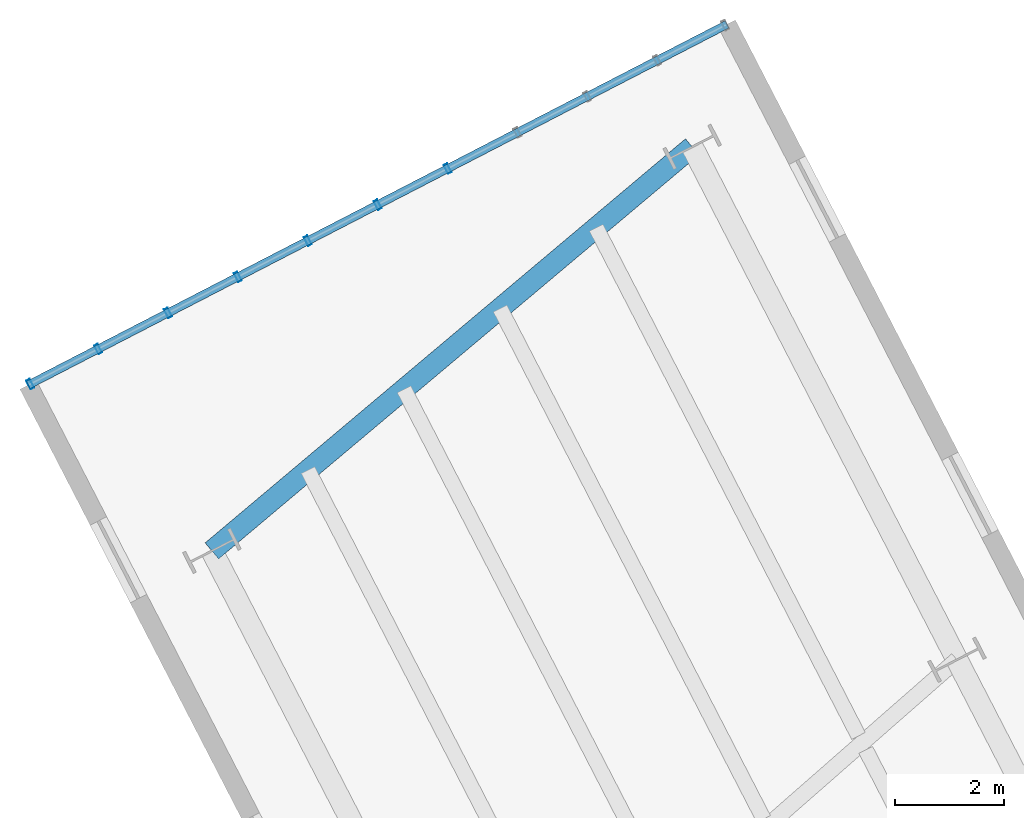
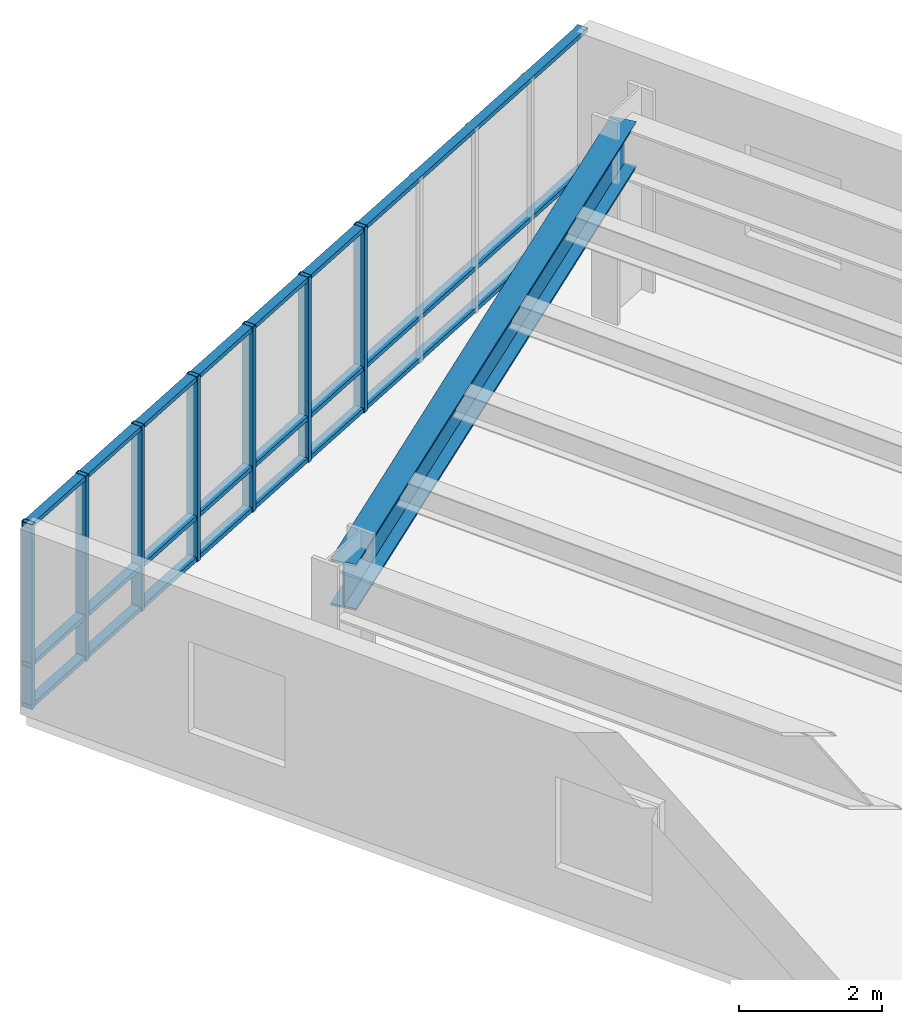
# One storey, part 3 of 10: 10 members, 1 beam, 1 element without a shape of its own.
"""IFC4 building model written with IfcOpenShell, lengths in metres."""

from ifc_helpers import new_model, si_unit, direction, frame, origin, origin_2d, place, context, subcontext, project, spatial, hollow_rectangle, i_section, extrude, material, layer, layer_set, material_profile, profile_set, type_object, element, aggregate, save


model = new_model("IFC4")

# Units and contexts
model_context = context("Model", 3, precision=1e-05, world=origin(), true_north=direction((0.0, 1.0)))
body_context = subcontext(model_context, "Body", "Model", "MODEL_VIEW")
ifc_project = project(units=[si_unit("LENGTHUNIT", "METRE"), si_unit("AREAUNIT", "SQUARE_METRE"), si_unit("VOLUMEUNIT", "CUBIC_METRE"), si_unit("PLANEANGLEUNIT", "RADIAN"), si_unit("MASSUNIT", "GRAM", prefix="KILO"), si_unit("THERMODYNAMICTEMPERATUREUNIT", "KELVIN"), si_unit("POWERUNIT", "WATT")], contexts=[model_context])

# Site, building, storey
site_placement = place(None, origin())
site = spatial("IfcSite", under=ifc_project, at=site_placement, CompositionType="ELEMENT")
building_placement = place(site_placement, origin())
building = spatial("IfcBuilding", under=site, at=building_placement, Name="Skarre Station Tower", CompositionType="ELEMENT")
storey_placement = place(building_placement, frame((0.0, 0.0, 142.949951171875)))
storey = spatial("IfcBuildingStorey", under=building, at=storey_placement, Name="L38", CompositionType="ELEMENT", Elevation=142.949951171875)

# Curtain wall, members
ifc_material_1 = material(Name="Thermally Broken Bronze-Anodized Aluminium & Triple Low-E Glass", Category="aluminium")
ifc_layer = layer(ifc_material_1, 0.2099609375, Name="Thermally Broken Bronze-Anodized Aluminium & Triple Low-E Glass")
ifc_layer_set = layer_set([ifc_layer], Name="Thermally Broken Bronze-Anodized Aluminium & Triple Low-E Glass")
curtain_wall_type = type_object("IfcCurtainWallType", Name="Sky-Bar Prow Structural Glazed Curtain Wall", PredefinedType="NOTDEFINED", material=ifc_layer_set)
curtain_wall_placement = place(storey_placement, origin())
curtain_wall = element("IfcCurtainWall", 1, at=curtain_wall_placement, inside=storey, type_object=curtain_wall_type, Name="L38 SB-3 Lakefront Prow Curtain Wall", PredefinedType="NOTDEFINED")
ifc_material_2 = material(Name="Anodized Aluminium 6063-T6", Category="aluminium")
ifc_material_profile_1 = material_profile(ifc_material_2, hollow_rectangle(XDim=0.074951171875, YDim=0.14990234375, WallThickness=0.00390625, at=origin_2d()), Name="Anodized Aluminium 6063-T6")
ifc_profile_set_1 = profile_set([ifc_material_profile_1], Name="Anodized Aluminium 6063-T6")
member_type_1 = type_object("IfcMemberType", Name="Curtain-Wall Secondary Transom 150x75", PredefinedType="USERDEFINED", material=ifc_profile_set_1)
member_1_placement = place(storey_placement, frame((10.279052734375, 54.006103515625, 0.0400390625), z_axis=(0.888602378714, 0.458678332324, 0.0), x_axis=(0.0, 0.0, 1.0)))
member_1 = element("IfcMember", 2, at=member_1_placement, type_object=member_type_1, Name="L38 SB-3 Lakefront Prow Curtain Wall Transom 1", ObjectType="TRANSOM", PredefinedType="USERDEFINED", context=body_context, shape_type="SweptSolid", body=[
    extrude(hollow_rectangle(XDim=0.074951171875, YDim=0.14990234375, WallThickness=0.00390625, at=origin_2d()), origin(), (0.0, 0.0, 1.0), 14.400146484375),
])
member_2_placement = place(storey_placement, frame((10.279052734375, 54.006103515625, 0.75), z_axis=(0.888602378714, 0.458678332324, 0.0), x_axis=(0.0, 0.0, 1.0)))
member_2 = element("IfcMember", 3, at=member_2_placement, type_object=member_type_1, Name="L38 SB-3 Lakefront Prow Curtain Wall Transom 2", ObjectType="TRANSOM", PredefinedType="USERDEFINED", context=body_context, shape_type="SweptSolid", body=[
    extrude(hollow_rectangle(XDim=0.074951171875, YDim=0.14990234375, WallThickness=0.00390625, at=origin_2d()), origin(), (0.0, 0.0, 1.0), 14.400146484375),
])
member_3_placement = place(storey_placement, frame((10.279052734375, 54.006103515625, 3.1201171875), z_axis=(0.888602378714, 0.458678332324, 0.0), x_axis=(0.0, 0.0, 1.0)))
member_3 = element("IfcMember", 4, at=member_3_placement, type_object=member_type_1, Name="L38 SB-3 Lakefront Prow Curtain Wall Transom 3", ObjectType="TRANSOM", PredefinedType="USERDEFINED", context=body_context, shape_type="SweptSolid", body=[
    extrude(hollow_rectangle(XDim=0.074951171875, YDim=0.14990234375, WallThickness=0.00390625, at=origin_2d()), origin(), (0.0, 0.0, 1.0), 14.400146484375),
])
ifc_material_profile_2 = material_profile(ifc_material_2, hollow_rectangle(XDim=0.074951171875, YDim=0.179931640625, WallThickness=0.00390625, at=origin_2d()), Name="Anodized Aluminium 6063-T6")
ifc_profile_set_2 = profile_set([ifc_material_profile_2], Name="Anodized Aluminium 6063-T6")
member_type_2 = type_object("IfcMemberType", Name="Curtain-Wall Unitised Tower Mullion 180x75", PredefinedType="MULLION", material=ifc_profile_set_2)
member_4_placement = place(storey_placement, frame((10.31494140625, 54.02392578125, 0.0), z_axis=(0.0, 0.0, 1.0), x_axis=(0.888601222224, 0.458680572798, 0.0)))
member_4 = element("IfcMember", 5, at=member_4_placement, type_object=member_type_2, Name="L38 SB-3 Lakefront Prow Curtain Wall Mullion 1", PredefinedType="MULLION", context=body_context, shape_type="SweptSolid", body=[
    extrude(hollow_rectangle(XDim=0.074951171875, YDim=0.179931640625, WallThickness=0.00390625, at=origin_2d()), origin(), (0.0, 0.0, 1.0), 3.16015625),
])
member_5_placement = place(storey_placement, frame((11.55908203125, 54.666015625, 0.0), z_axis=(0.0, 0.0, 1.0), x_axis=(0.888601222224, 0.458680572798, 0.0)))
member_5 = element("IfcMember", 6, at=member_5_placement, type_object=member_type_2, Name="L38 SB-3 Lakefront Prow Curtain Wall Mullion 2", PredefinedType="MULLION", context=body_context, shape_type="SweptSolid", body=[
    extrude(hollow_rectangle(XDim=0.074951171875, YDim=0.179931640625, WallThickness=0.00390625, at=origin_2d()), origin(), (0.0, 0.0, 1.0), 3.16015625),
])
member_6_placement = place(storey_placement, frame((12.837890625, 55.326904296875, 0.0), z_axis=(0.0, 0.0, 1.0), x_axis=(0.888601222224, 0.458680572798, 0.0)))
member_6 = element("IfcMember", 7, at=member_6_placement, type_object=member_type_2, Name="L38 SB-3 Lakefront Prow Curtain Wall Mullion 3", PredefinedType="MULLION", context=body_context, shape_type="SweptSolid", body=[
    extrude(hollow_rectangle(XDim=0.074951171875, YDim=0.179931640625, WallThickness=0.00390625, at=origin_2d()), origin(), (0.0, 0.0, 1.0), 3.16015625),
])
member_7_placement = place(storey_placement, frame((14.117919921875, 55.987060546875, 0.0), z_axis=(0.0, 0.0, 1.0), x_axis=(0.888601222224, 0.458680572798, 0.0)))
member_7 = element("IfcMember", 8, at=member_7_placement, type_object=member_type_2, Name="L38 SB-3 Lakefront Prow Curtain Wall Mullion 4", PredefinedType="MULLION", context=body_context, shape_type="SweptSolid", body=[
    extrude(hollow_rectangle(XDim=0.074951171875, YDim=0.179931640625, WallThickness=0.00390625, at=origin_2d()), origin(), (0.0, 0.0, 1.0), 3.16015625),
])
member_8_placement = place(storey_placement, frame((15.39697265625, 56.64794921875, 0.0), z_axis=(0.0, 0.0, 1.0), x_axis=(0.888601222224, 0.458680572798, 0.0)))
member_8 = element("IfcMember", 9, at=member_8_placement, type_object=member_type_2, Name="L38 SB-3 Lakefront Prow Curtain Wall Mullion 5", PredefinedType="MULLION", context=body_context, shape_type="SweptSolid", body=[
    extrude(hollow_rectangle(XDim=0.074951171875, YDim=0.179931640625, WallThickness=0.00390625, at=origin_2d()), origin(), (0.0, 0.0, 1.0), 3.16015625),
])
member_9_placement = place(storey_placement, frame((16.677001953125, 57.30810546875, 0.0), z_axis=(0.0, 0.0, 1.0), x_axis=(0.888601222224, 0.458680572798, 0.0)))
member_9 = element("IfcMember", 10, at=member_9_placement, type_object=member_type_2, Name="L38 SB-3 Lakefront Prow Curtain Wall Mullion 6", PredefinedType="MULLION", context=body_context, shape_type="SweptSolid", body=[
    extrude(hollow_rectangle(XDim=0.074951171875, YDim=0.179931640625, WallThickness=0.00390625, at=origin_2d()), origin(), (0.0, 0.0, 1.0), 3.16015625),
])
member_10_placement = place(storey_placement, frame((17.95703125, 57.968994140625, 0.0), z_axis=(0.0, 0.0, 1.0), x_axis=(0.888601222224, 0.458680572798, 0.0)))
member_10 = element("IfcMember", 11, at=member_10_placement, type_object=member_type_2, Name="L38 SB-3 Lakefront Prow Curtain Wall Mullion 7", PredefinedType="MULLION", context=body_context, shape_type="SweptSolid", body=[
    extrude(hollow_rectangle(XDim=0.074951171875, YDim=0.179931640625, WallThickness=0.00390625, at=origin_2d()), origin(), (0.0, 0.0, 1.0), 3.16015625),
])
aggregate(curtain_wall, [member_4, member_5, member_6, member_7, member_8, member_9, member_10, member_1, member_2, member_3])

# Beam
ifc_material_3 = material(Name="Steel ASTM A992 Grade 50", Category="steel")
ifc_material_profile_3 = material_profile(ifc_material_3, i_section(OverallWidth=0.384033203125, OverallDepth=0.785888671875, WebThickness=0.02001953125, FlangeThickness=0.032958984375, at=origin_2d()), Name="Steel ASTM A992 Grade 50")
ifc_profile_set_3 = profile_set([ifc_material_profile_3], Name="Steel ASTM A992 Grade 50")
beam_type = type_object("IfcBeamType", Name="Steel Spandrel W30X211", PredefinedType="SPANDREL", material=ifc_profile_set_3)
beam_placement = place(storey_placement, frame((22.43603515625, 58.367919921875, 2.76708984375), z_axis=(-0.765266948908, -0.643713054792, 0.0), x_axis=(0.643713054792, -0.765266948908, 0.0)))
element("IfcBeam", 12, at=beam_placement, inside=storey, type_object=beam_type, Name="L38 SB-3 Prow Spandrel Girder", PredefinedType="SPANDREL", context=body_context, shape_type="SweptSolid", body=[
    extrude(i_section(OverallWidth=0.384033203125, OverallDepth=0.785888671875, WebThickness=0.02001953125, FlangeThickness=0.032958984375, at=origin_2d()), origin(), (0.0, 0.0, 1.0), 11.49267578125),
])

save(model, "model.ifc")
